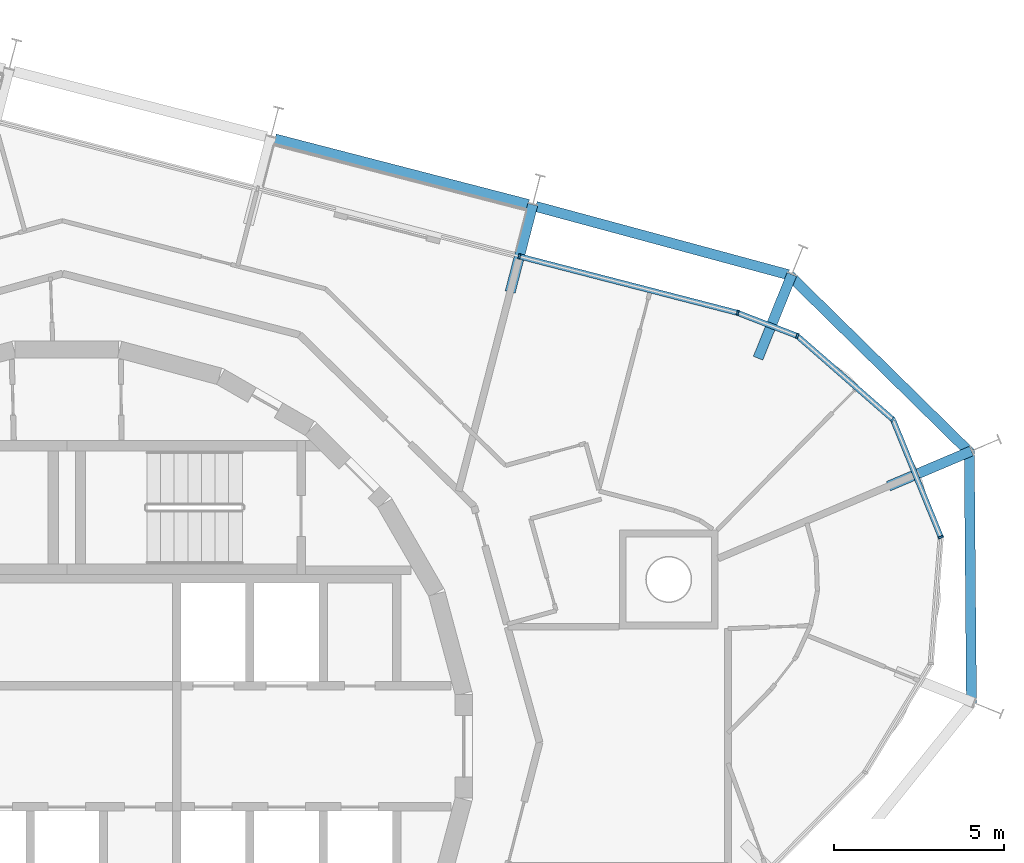
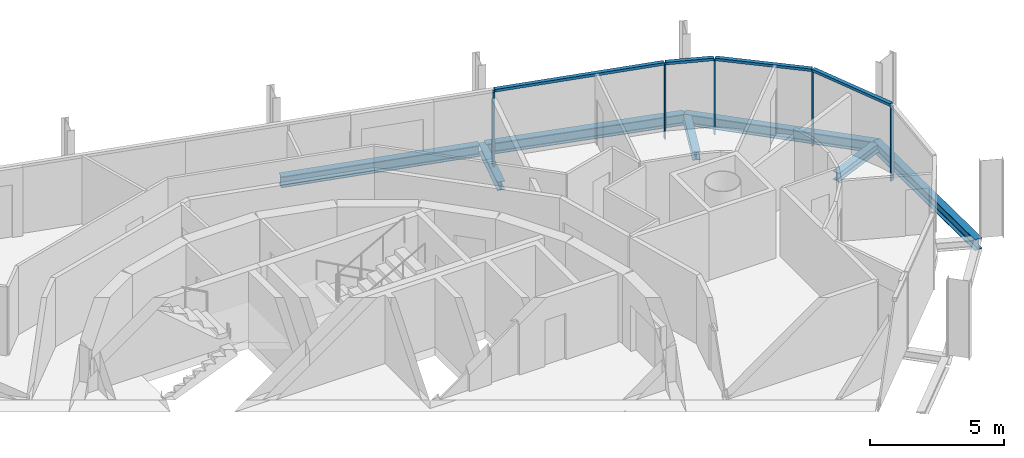
# One storey, part 7 of 15: 9 members, 7 beams, 2 elements without a shape of their own.
"""IFC4 building model written with IfcOpenShell, lengths in metres."""

from ifc_helpers import new_model, si_unit, direction, frame, origin, origin_2d, place, context, subcontext, project, spatial, rectangle, i_section, extrude, material, layer, layer_set, material_profile, profile_set, type_object, element, aggregate, save


model = new_model("IFC4")

# Units and contexts
model_context = context("Model", 3, precision=1e-05, world=origin(), true_north=direction((0.0, 1.0)))
body_context = subcontext(model_context, "Body", "Model", "MODEL_VIEW")
ifc_project = project(units=[si_unit("LENGTHUNIT", "METRE"), si_unit("AREAUNIT", "SQUARE_METRE"), si_unit("VOLUMEUNIT", "CUBIC_METRE"), si_unit("PLANEANGLEUNIT", "RADIAN"), si_unit("MASSUNIT", "GRAM", prefix="KILO")], contexts=[model_context])

# Site, building, storey
site_placement = place(None, origin())
site = spatial("IfcSite", under=ifc_project, at=site_placement, CompositionType="ELEMENT")
building_placement = place(site_placement, origin())
building = spatial("IfcBuilding", under=site, at=building_placement, Name="Spindle Arch Residences", CompositionType="ELEMENT")
storey_placement = place(building_placement, frame((0.0, 0.0, 308.699951171875)))
storey = spatial("IfcBuildingStorey", under=building, at=storey_placement, Name="L79", CompositionType="ELEMENT", Elevation=308.699951171875)

# Curtain wall, members
ifc_material_1 = material(Name="Aluminium bronze unitised frame with tinted glass", Category="aluminium")
ifc_layer_1 = layer(ifc_material_1, 0.159912109375)
ifc_layer_set_1 = layer_set([ifc_layer_1], Name="CW-D corner wall on the fillet arcs")
curtain_wall_type_1 = type_object("IfcCurtainWallType", Name="CW-D corner wall on the fillet arcs", PredefinedType="NOTDEFINED", material=ifc_layer_set_1)
curtain_wall_1_placement = place(storey_placement, origin())
curtain_wall_1 = element("IfcCurtainWall", 1, at=curtain_wall_1_placement, inside=storey, type_object=curtain_wall_type_1, Name="CW-D L79 run 1", PredefinedType="NOTDEFINED")
ifc_material_2 = material(Name="Aluminium bronze anodised mullion", Category="aluminium")
ifc_material_profile_1 = material_profile(ifc_material_2, rectangle(XDim=0.159912109375, YDim=0.06005859375, at=origin_2d()), Name="MU 60x160")
ifc_profile_set_1 = profile_set([ifc_material_profile_1], Name="Aluminium bronze anodised mullion")
member_type_1 = type_object("IfcMemberType", Name="Bronze mullion 60x160", PredefinedType="MULLION", material=ifc_profile_set_1)
member_1_placement = place(storey_placement, frame((25.646728515625, 6.13916015625, -0.3798828125), z_axis=(0.0, 0.0, 1.0), x_axis=(-0.926090247396, -0.377302072189, 0.0)))
member_1 = element("IfcMember", 2, at=member_1_placement, type_object=member_type_1, Name="CW-D mullion 03", PredefinedType="MULLION", context=body_context, shape_type="SweptSolid", body=[
    extrude(rectangle(XDim=0.159912109375, YDim=0.06005859375, at=origin_2d()), origin(), (0.0, 0.0, 1.0), 3.3798828125),
])
member_2_placement = place(storey_placement, frame((24.24072265625, 9.59033203125, -0.3798828125), z_axis=(0.0, 0.0, 1.0), x_axis=(-0.658251611308, -0.752797991635, 0.0)))
member_2 = element("IfcMember", 3, at=member_2_placement, type_object=member_type_1, Name="CW-D mullion 04", PredefinedType="MULLION", context=body_context, shape_type="SweptSolid", body=[
    extrude(rectangle(XDim=0.159912109375, YDim=0.06005859375, at=origin_2d()), origin(), (0.0, 0.0, 1.0), 3.3798828125),
])
member_3_placement = place(storey_placement, frame((21.435302734375, 12.04345703125, -0.3798828125), z_axis=(0.0, 0.0, 1.0), x_axis=(-0.361082099353, -0.932534030225, 0.0)))
member_3 = element("IfcMember", 4, at=member_3_placement, type_object=member_type_1, Name="CW-D mullion 05", PredefinedType="MULLION", context=body_context, shape_type="SweptSolid", body=[
    extrude(rectangle(XDim=0.159912109375, YDim=0.06005859375, at=origin_2d()), origin(), (0.0, 0.0, 1.0), 3.3798828125),
])
member_4_placement = place(storey_placement, frame((19.685791015625, 12.720947265625, -0.3798828125), z_axis=(0.0, 0.0, 1.0), x_axis=(-0.250380004054, -0.968147640378, 0.0)))
member_4 = element("IfcMember", 5, at=member_4_placement, type_object=member_type_1, Name="CW-D mullion 06", PredefinedType="MULLION", context=body_context, shape_type="SweptSolid", body=[
    extrude(rectangle(XDim=0.159912109375, YDim=0.06005859375, at=origin_2d()), origin(), (0.0, 0.0, 1.0), 3.3798828125),
])

# Curtain wall, member
ifc_material_3 = material(Name="Aluminium bronze unitised frame with tinted glass", Category="aluminium")
ifc_layer_2 = layer(ifc_material_3, 0.159912109375)
ifc_layer_set_2 = layer_set([ifc_layer_2], Name="CW-C typical residential unitised wall")
curtain_wall_type_2 = type_object("IfcCurtainWallType", Name="CW-C typical residential unitised wall", PredefinedType="NOTDEFINED", material=ifc_layer_set_2)
curtain_wall_2_placement = place(storey_placement, origin())
curtain_wall_2 = element("IfcCurtainWall", 6, at=curtain_wall_2_placement, inside=storey, type_object=curtain_wall_type_2, Name="CW-C L79 run 2", PredefinedType="NOTDEFINED")
member_5_placement = place(storey_placement, frame((13.280517578125, 14.37744140625, -0.3798828125), z_axis=(0.0, 0.0, 1.0), x_axis=(-0.250380004054, -0.968147640378, 0.0)))
member_5 = element("IfcMember", 7, at=member_5_placement, type_object=member_type_1, Name="CW-C mullion 05", PredefinedType="MULLION", context=body_context, shape_type="SweptSolid", body=[
    extrude(rectangle(XDim=0.159912109375, YDim=0.06005859375, at=origin_2d()), origin(), (0.0, 0.0, 1.0), 3.3798828125),
])
aggregate(curtain_wall_2, [member_5])

# Member
ifc_material_4 = material(Name="Aluminium bronze anodised transom", Category="aluminium")
ifc_material_profile_2 = material_profile(ifc_material_4, rectangle(XDim=0.159912109375, YDim=0.1201171875, at=origin_2d()), Name="TR 120x160")
ifc_profile_set_2 = profile_set([ifc_material_profile_2], Name="Aluminium bronze anodised transom")
member_type_2 = type_object("IfcMemberType", Name="Bronze transom 120x160", PredefinedType="USERDEFINED", material=ifc_profile_set_2)
member_6_placement = place(storey_placement, frame((25.635498046875, 6.166748046875, 3.06005859375), z_axis=(-0.377318036671, 0.926083743083, 0.0), x_axis=(-0.926083743083, -0.377318036671, 0.0)))
member_6 = element("IfcMember", 8, at=member_6_placement, type_object=member_type_2, Name="CW-D transom 03", ObjectType="TRANSOM", PredefinedType="USERDEFINED", context=body_context, shape_type="SweptSolid", body=[
    extrude(rectangle(XDim=0.159912109375, YDim=0.1201171875, at=origin_2d()), origin(), (0.0, 0.0, 1.0), 3.666748046875),
])

member_7_placement = place(storey_placement, frame((24.218017578125, 9.610107421875, 3.06005859375), z_axis=(-0.752799384177, 0.658250018749, 0.0), x_axis=(-0.658250018749, -0.752799384177, 0.0)))
member_7 = element("IfcMember", 9, at=member_7_placement, type_object=member_type_2, Name="CW-D transom 04", ObjectType="TRANSOM", PredefinedType="USERDEFINED", context=body_context, shape_type="SweptSolid", body=[
    extrude(rectangle(XDim=0.159912109375, YDim=0.1201171875, at=origin_2d()), origin(), (0.0, 0.0, 1.0), 3.666748046875),
])

member_8_placement = place(storey_placement, frame((21.4072265625, 12.054443359375, 3.06005859375), z_axis=(-0.932581237084, 0.360960158796, 0.0), x_axis=(-0.360960158796, -0.932581237084, 0.0)))
member_8 = element("IfcMember", 10, at=member_8_placement, type_object=member_type_2, Name="CW-D transom 05", ObjectType="TRANSOM", PredefinedType="USERDEFINED", context=body_context, shape_type="SweptSolid", body=[
    extrude(rectangle(XDim=0.159912109375, YDim=0.1201171875, at=origin_2d()), origin(), (0.0, 0.0, 1.0), 1.81591796875),
])

member_9_placement = place(storey_placement, frame((19.65673828125, 12.728515625, 3.06005859375), z_axis=(-0.968152514415, 0.250361156797, 0.0), x_axis=(-0.250361156797, -0.968152514415, 0.0)))
member_9 = element("IfcMember", 11, at=member_9_placement, type_object=member_type_2, Name="CW-D transom 06", ObjectType="TRANSOM", PredefinedType="USERDEFINED", context=body_context, shape_type="SweptSolid", body=[
    extrude(rectangle(XDim=0.159912109375, YDim=0.1201171875, at=origin_2d()), origin(), (0.0, 0.0, 1.0), 6.555908203125),
])

aggregate(curtain_wall_1, [member_1, member_6, member_2, member_7, member_3, member_8, member_4, member_9])

# Beams
ifc_material_5 = material(Name="Steel S460ML, intumescent coating R 120", Category="steel")
ifc_material_profile_3 = material_profile(ifc_material_5, i_section(OverallWidth=0.300048828125, OverallDepth=0.5, WebThickness=0.014404296875, FlangeThickness=0.028076171875, FilletRadius=0.027099609375, at=origin_2d()), Name="HEB 500")
ifc_profile_set_3 = profile_set([ifc_material_profile_3], Name="Steel S460ML, intumescent coating R 120")
beam_type_1 = type_object("IfcBeamType", Name="Exoskeleton edge beam HEB 500", PredefinedType="BEAM", material=ifc_profile_set_3)
for number, where, z_axis, x_axis, name in (
    (12, (26.54541015625, 1.238525390625, -0.6298828125), (-0.008657825592, 0.999962520326, 0.0), (-0.999962520326, -0.008657825592, 0.0), "Exoskeleton edge beam 3"),
    (13, (26.530517578125, 8.59375, -0.6298828125), (-0.713367950358, 0.700789674155, 0.0), (-0.700789674155, -0.713367950358, 0.0), "Exoskeleton edge beam 4"),
):
    element("IfcBeam", number, at=place(storey_placement, frame(where, z_axis=z_axis, x_axis=x_axis)), inside=storey, type_object=beam_type_1, Name=name, PredefinedType="BEAM", context=body_context, shape_type="SweptSolid", body=[
        extrude(i_section(OverallWidth=0.300048828125, OverallDepth=0.5, WebThickness=0.014404296875, FlangeThickness=0.028076171875, FilletRadius=0.027099609375, at=origin_2d()), origin(), (0.0, 0.0, 1.0), 7.47265625),
    ])
beam_1_placement = place(storey_placement, frame((21.16748046875, 13.842041015625, -0.6298828125), z_axis=(-0.965376606597, 0.260860130024, 0.0), x_axis=(-0.260860130024, -0.965376606597, 0.0)))
element("IfcBeam", 14, at=beam_1_placement, inside=storey, type_object=beam_type_1, Name="Exoskeleton edge beam 5", PredefinedType="BEAM", context=body_context, shape_type="SweptSolid", body=[
    extrude(i_section(OverallWidth=0.300048828125, OverallDepth=0.5, WebThickness=0.014404296875, FlangeThickness=0.028076171875, FilletRadius=0.027099609375, at=origin_2d()), origin(), (0.0, 0.0, 1.0), 7.671630859375),
])
beam_2_placement = place(storey_placement, frame((13.540283203125, 15.90087890625, -0.6298828125), z_axis=(-0.968149836341, 0.250371512743, 0.0), x_axis=(-0.250371512743, -0.968149836341, 0.0)))
element("IfcBeam", 15, at=beam_2_placement, inside=storey, type_object=beam_type_1, Name="Exoskeleton edge beam 6", PredefinedType="BEAM", context=body_context, shape_type="SweptSolid", body=[
    extrude(i_section(OverallWidth=0.300048828125, OverallDepth=0.5, WebThickness=0.014404296875, FlangeThickness=0.028076171875, FilletRadius=0.027099609375, at=origin_2d()), origin(), (0.0, 0.0, 1.0), 7.675048828125),
])
ifc_material_6 = material(Name="Steel S460ML, intumescent coating R 120", Category="steel")
ifc_material_profile_4 = material_profile(ifc_material_6, i_section(OverallWidth=0.300048828125, OverallDepth=0.389892578125, WebThickness=0.010986328125, FlangeThickness=0.01904296875, FilletRadius=0.027099609375, at=origin_2d()), Name="HEA 400")
ifc_profile_set_4 = profile_set([ifc_material_profile_4], Name="Steel S460ML, intumescent coating R 120")
beam_type_2 = type_object("IfcBeamType", Name="Floor outrigger HEA 400", PredefinedType="BEAM", material=ifc_profile_set_4)
for number, where, z_axis, x_axis, name in (
    (16, (26.54541015625, 8.669189453125, -0.574951171875), (-0.920502463847, -0.390736758, 0.0), (0.390736758, -0.920502463847, 0.0), "Floor outrigger 4"),
    (17, (21.27490234375, 13.8466796875, -0.574951171875), (-0.374327471234, -0.927296578382, 0.0), (0.927296578382, -0.374327471234, 0.0), "Floor outrigger 5"),
):
    element("IfcBeam", number, at=place(storey_placement, frame(where, z_axis=z_axis, x_axis=x_axis)), inside=storey, type_object=beam_type_2, Name=name, PredefinedType="BEAM", context=body_context, shape_type="SweptSolid", body=[
        extrude(i_section(OverallWidth=0.300048828125, OverallDepth=0.389892578125, WebThickness=0.010986328125, FlangeThickness=0.01904296875, FilletRadius=0.027099609375, at=origin_2d()), origin(), (0.0, 0.0, 1.0), 2.64990234375),
    ])
beam_3_placement = place(storey_placement, frame((13.673583984375, 15.8974609375, -0.574951171875), z_axis=(-0.250396221036, -0.968143446237, 0.0), x_axis=(0.968143446237, -0.250396221036, 0.0)))
element("IfcBeam", 18, at=beam_3_placement, inside=storey, type_object=beam_type_2, Name="Floor outrigger 6", PredefinedType="BEAM", context=body_context, shape_type="SweptSolid", body=[
    extrude(i_section(OverallWidth=0.300048828125, OverallDepth=0.389892578125, WebThickness=0.010986328125, FlangeThickness=0.01904296875, FilletRadius=0.027099609375, at=origin_2d()), origin(), (0.0, 0.0, 1.0), 2.650146484375),
])

save(model, "model.ifc")
